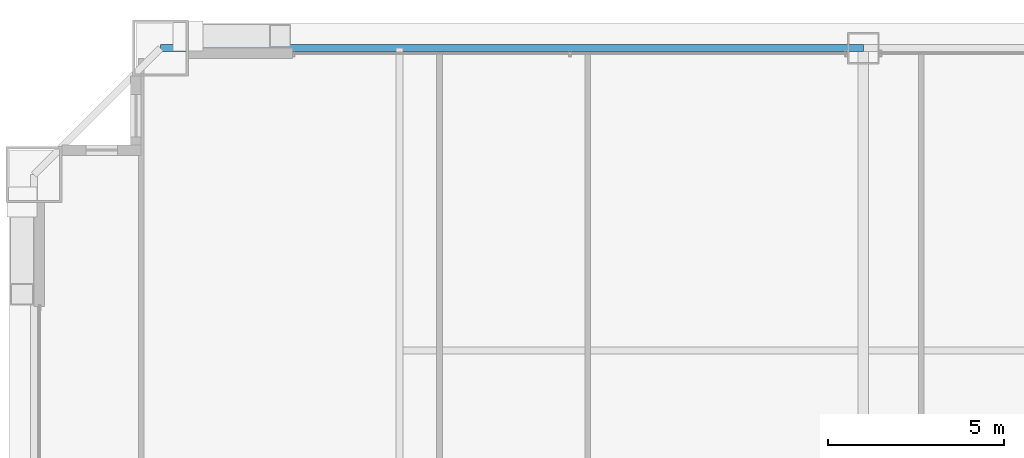
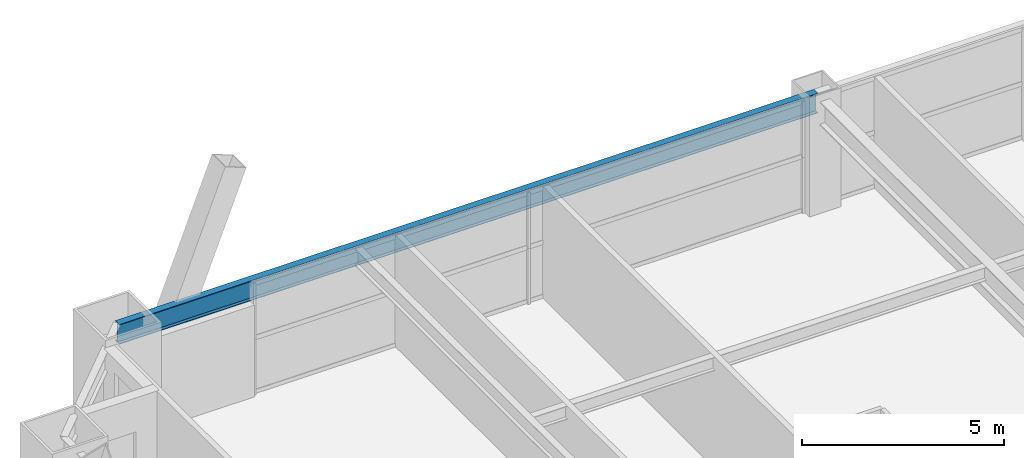
# One storey, part 27 of 42: 1 beam.
"""IFC4 building model written with IfcOpenShell, lengths in metres."""

from ifc_helpers import new_model, si_unit, direction, frame, origin, origin_2d, place, context, subcontext, project, spatial, i_section, extrude, source, transform, mapped, material, material_profile, profile_set, type_object, element, save


model = new_model("IFC4")

# Units and contexts
model_context = context("Model", 3, precision=1e-05, world=origin(), true_north=direction((0.0, 1.0)))
body_context = subcontext(model_context, "Body", "Model", "MODEL_VIEW")
ifc_project = project(units=[si_unit("LENGTHUNIT", "METRE"), si_unit("AREAUNIT", "SQUARE_METRE"), si_unit("VOLUMEUNIT", "CUBIC_METRE"), si_unit("PLANEANGLEUNIT", "RADIAN"), si_unit("MASSUNIT", "GRAM", prefix="KILO"), si_unit("THERMODYNAMICTEMPERATUREUNIT", "KELVIN"), si_unit("POWERUNIT", "WATT")], contexts=[model_context])

# Site, building, storey
site_placement = place(None, origin())
site = spatial("IfcSite", under=ifc_project, at=site_placement, CompositionType="ELEMENT")
building_placement = place(site_placement, origin())
building = spatial("IfcBuilding", under=site, at=building_placement, Name="Yuzanri Waterfront Tower", CompositionType="ELEMENT")
storey_placement = place(building_placement, frame((0.0, 0.0, 145.199951171875)))
storey = spatial("IfcBuildingStorey", under=building, at=storey_placement, Name="L38", CompositionType="ELEMENT", Elevation=145.199951171875)

# Beam
ifc_material = material(Name="Steel Q355B", Category="steel")
ifc_material_profile = material_profile(ifc_material, i_section(OverallWidth=0.199951171875, OverallDepth=0.60009765625, WebThickness=0.010986328125, FlangeThickness=0.01708984375, at=origin_2d()), Name="HN 600x200x11x17")
ifc_profile_set = profile_set([ifc_material_profile], Name="Steel Q355B")
beam_type = type_object("IfcBeamType", Name="Perimeter Spandrel Q355B HN 600x200", PredefinedType="SPANDREL", material=ifc_profile_set)
shared_shape = source(origin(), body_context, "Body", "SweptSolid", [
    extrude(i_section(OverallWidth=0.199951171875, OverallDepth=0.60009765625, WebThickness=0.010986328125, FlangeThickness=0.01708984375, at=origin_2d()), origin(), (0.0, 0.0, 1.0), 20.0),
])
beam_placement = place(storey_placement, frame((37.0, 49.39990234375, 3.080078125), z_axis=(-1.0, 0.0, 0.0), x_axis=(0.0, -1.0, 0.0)))
element("IfcBeam", 1, at=beam_placement, inside=storey, type_object=beam_type, Name="L38 Perimeter Spandrel N2-N1", PredefinedType="SPANDREL", context=body_context, shape_type="MappedRepresentation", body=[
    mapped(shared_shape, transform((0.0, 0.0, 0.0), scale=1.0)),
])

save(model, "model.ifc")
